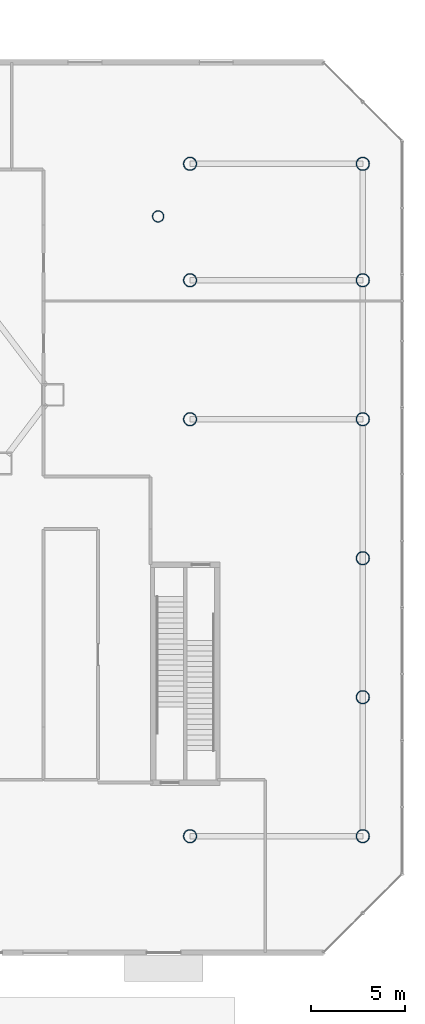
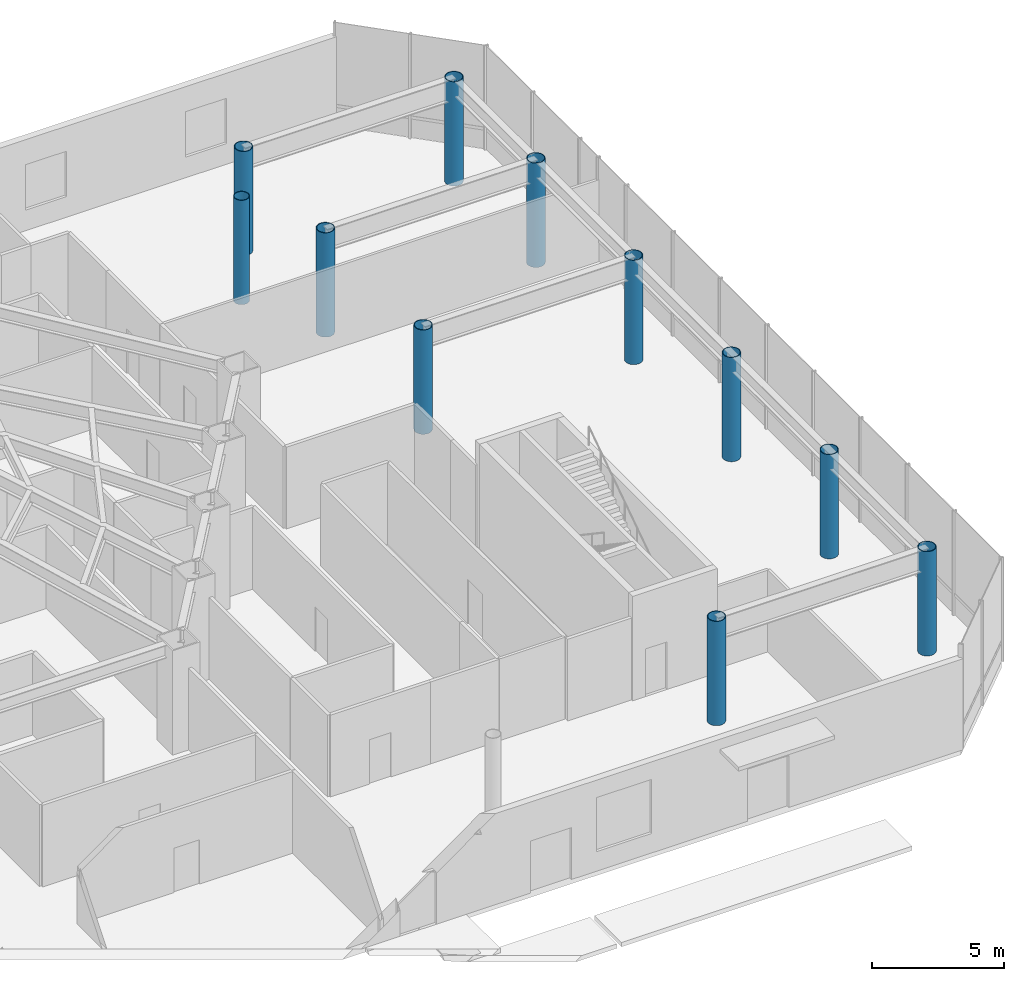
# One storey, part 4 of 31: 11 columns.
"""IFC4 building model written with IfcOpenShell, lengths in metres."""

from ifc_helpers import new_model, si_unit, direction, frame, origin, origin_2d, place, context, subcontext, project, spatial, hollow_circle, extrude, material, material_profile, profile_set, type_object, element, save


model = new_model("IFC4")

# Units and contexts
model_context = context("Model", 3, precision=1e-05, world=origin(), true_north=direction((0.0, 1.0)))
body_context = subcontext(model_context, "Body", "Model", "MODEL_VIEW")
ifc_project = project(units=[si_unit("LENGTHUNIT", "METRE"), si_unit("AREAUNIT", "SQUARE_METRE"), si_unit("VOLUMEUNIT", "CUBIC_METRE"), si_unit("PLANEANGLEUNIT", "RADIAN"), si_unit("MASSUNIT", "GRAM", prefix="KILO")], contexts=[model_context])

# Site, building, storey
site_placement = place(None, origin())
site = spatial("IfcSite", under=ifc_project, at=site_placement, CompositionType="ELEMENT")
building_placement = place(site_placement, origin())
building = spatial("IfcBuilding", under=site, at=building_placement, Name="Zarrinselat Tower", CompositionType="ELEMENT")
storey_placement = place(building_placement, origin())
storey = spatial("IfcBuildingStorey", under=building, at=storey_placement, Name="L00", CompositionType="ELEMENT", Elevation=0.0)

# Columns
ifc_material_1 = material(Name="Steel S355J2", Category="steel")
ifc_material_profile_1 = material_profile(ifc_material_1, hollow_circle(Radius=0.304931640625, WallThickness=0.02490234375, at=origin_2d()), Name="CHS 610x25")
ifc_profile_set_1 = profile_set([ifc_material_profile_1], Name="Steel S355J2")
column_type_1 = type_object("IfcColumnType", Name="COL-CHS610", PredefinedType="COLUMN", material=ifc_profile_set_1)
column_placement = place(storey_placement, frame((66.300048828125, 44.0, 0.0), z_axis=(0.0, 0.0, 1.0), x_axis=(1.0, 0.0, 0.0)))
element("IfcColumn", 1, at=column_placement, inside=storey, type_object=column_type_1, Name="L00 Garden Deck Support Column 4", PredefinedType="COLUMN", context=body_context, shape_type="SweptSolid", body=[
    extrude(hollow_circle(Radius=0.304931640625, WallThickness=0.02490234375, at=origin_2d()), origin(), (0.0, 0.0, 1.0), 4.820068359375),
])
ifc_material_2 = material(Name="Steel S460M", Category="steel")
ifc_material_profile_2 = material_profile(ifc_material_2, hollow_circle(Radius=0.35546875, WallThickness=0.030029296875, at=origin_2d()), Name="CHS 711x30")
ifc_profile_set_2 = profile_set([ifc_material_profile_2], Name="Steel S460M")
column_type_2 = type_object("IfcColumnType", Name="COL-CHS711", PredefinedType="COLUMN", material=ifc_profile_set_2)
for number, where, z_axis, x_axis, name in (
    (2, (77.199951171875, 11.0, 0.0), (0.0, 0.0, 1.0), (1.0, 0.0, 0.0), "L00 Podium Outer Column E-11"),
    (3, (68.0, 11.0, 0.0), (0.0, 0.0, 1.0), (1.0, 0.0, 0.0), "L00 Podium Anchor Column E-11"),
    (4, (77.199951171875, 33.199951171875, 0.0), (0.0, 0.0, 1.0), (1.0, 0.0, 0.0), "L00 Podium Outer Column E-33"),
    (5, (68.0, 33.199951171875, 0.0), (0.0, 0.0, 1.0), (1.0, 0.0, 0.0), "L00 Podium Anchor Column E-33"),
    (6, (77.199951171875, 40.60009765625, 0.0), (0.0, 0.0, 1.0), (1.0, 0.0, 0.0), "L00 Podium Outer Column E-40"),
    (7, (68.0, 40.60009765625, 0.0), (0.0, 0.0, 1.0), (1.0, 0.0, 0.0), "L00 Podium Anchor Column E-40"),
    (8, (77.199951171875, 46.800048828125, 0.0), (0.0, 0.0, 1.0), (1.0, 0.0, 0.0), "L00 Podium Outer Column E-46"),
    (9, (68.0, 46.800048828125, 0.0), (0.0, 0.0, 1.0), (1.0, 0.0, 0.0), "L00 Podium Anchor Column E-46"),
    (10, (77.199951171875, 18.39990234375, 0.0), (0.0, 0.0, 1.0), (1.0, 0.0, 0.0), "L00 Lower Podium Column 05"),
    (11, (77.199951171875, 25.800048828125, 0.0), (0.0, 0.0, 1.0), (1.0, 0.0, 0.0), "L00 Lower Podium Column 06"),
):
    element("IfcColumn", number, at=place(storey_placement, frame(where, z_axis=z_axis, x_axis=x_axis)), inside=storey, type_object=column_type_2, Name=name, PredefinedType="COLUMN", context=body_context, shape_type="SweptSolid", body=[
        extrude(hollow_circle(Radius=0.35546875, WallThickness=0.030029296875, at=origin_2d()), origin(), (0.0, 0.0, 1.0), 4.820068359375),
    ])

save(model, "model.ifc")
